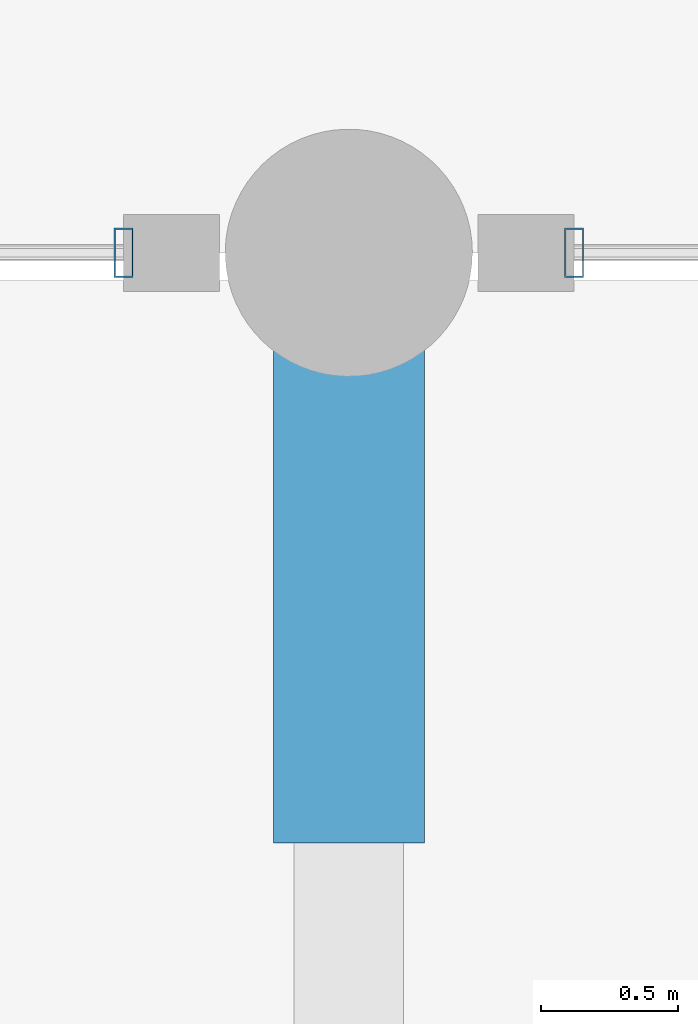
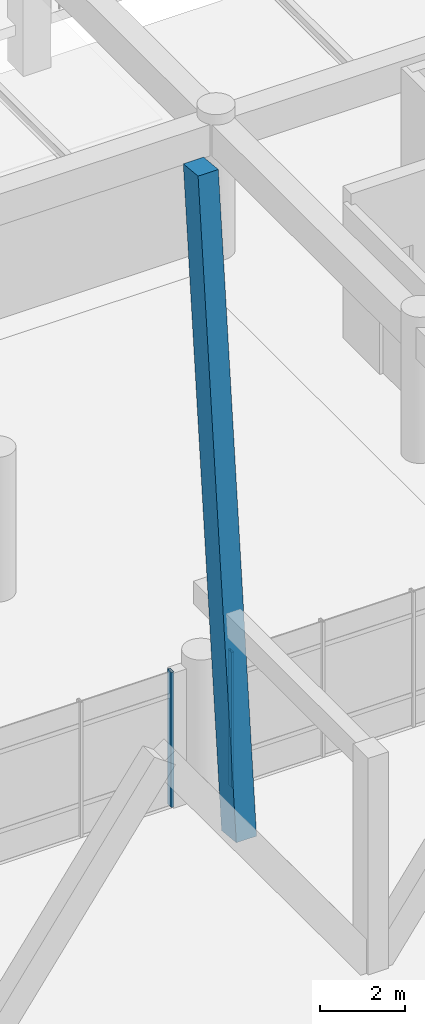
# One storey, part 21 of 109: 3 members, 2 elements without a shape of their own.
"""IFC4 building model written with IfcOpenShell, lengths in metres."""

from ifc_helpers import new_model, si_unit, direction, frame, origin, origin_2d, place, context, subcontext, project, spatial, rectangle, hollow_rectangle, extrude, material, material_profile, profile_set, type_object, element, aggregate, save


model = new_model("IFC4")

# Units and contexts
model_context = context("Model", 3, precision=1e-05, world=origin(), true_north=direction((0.0, 1.0)))
body_context = subcontext(model_context, "Body", "Model", "MODEL_VIEW")
ifc_project = project(units=[si_unit("LENGTHUNIT", "METRE"), si_unit("AREAUNIT", "SQUARE_METRE"), si_unit("VOLUMEUNIT", "CUBIC_METRE"), si_unit("PLANEANGLEUNIT", "RADIAN"), si_unit("MASSUNIT", "GRAM", prefix="KILO")], contexts=[model_context])

# Site, building, storey
site_placement = place(None, origin())
site = spatial("IfcSite", under=ifc_project, at=site_placement, CompositionType="ELEMENT")
building_placement = place(site_placement, origin())
building = spatial("IfcBuilding", under=site, at=building_placement, Name="Ologun Quay Terminus", CompositionType="ELEMENT")
storey_placement = place(building_placement, origin())
storey = spatial("IfcBuildingStorey", under=building, at=storey_placement, Name="L00", CompositionType="ELEMENT", Elevation=0.0)

# Curtain wall, member
ifc_material_1 = material(Name="Aluminium 6063-T6", Category="aluminium")
curtain_wall_type = type_object("IfcCurtainWallType", Name="Forecourt Arcade Curtain Wall 10700x3750", PredefinedType="USERDEFINED", material=ifc_material_1)
curtain_wall_1_placement = place(storey_placement, origin())
curtain_wall_1 = element("IfcCurtainWall", 1, at=curtain_wall_1_placement, inside=storey, type_object=curtain_wall_type, Name="CW-03 Curtain Wall CW-L00-005", ObjectType="UNITISED CURTAIN WALL", PredefinedType="USERDEFINED")
ifc_material_2 = material(Name="Aluminium 6063-T6", Category="aluminium")
ifc_material_profile_1 = material_profile(ifc_material_2, hollow_rectangle(XDim=0.070068359375, YDim=0.179931640625, WallThickness=0.0048828125, at=origin_2d()), Name="ALU 180x70x5")
ifc_profile_set_1 = profile_set([ifc_material_profile_1], Name="Aluminium 6063-T6")
member_type_1 = type_object("IfcMemberType", Name="Curtain Wall Heavy Mullion 180x70", PredefinedType="MULLION", material=ifc_profile_set_1)
member_1_placement = place(storey_placement, frame((102.679931640625, 8.0, 0.0), z_axis=(0.0, 0.0, 1.0), x_axis=(1.0, 0.0, 0.0)))
member_1 = element("IfcMember", 2, at=member_1_placement, type_object=member_type_1, Name="CW-L00-005 Mullion 5", PredefinedType="MULLION", context=body_context, shape_type="SweptSolid", body=[
    extrude(hollow_rectangle(XDim=0.070068359375, YDim=0.179931640625, WallThickness=0.0048828125, at=origin_2d()), origin(), (0.0, 0.0, 1.0), 3.8798828125),
])
aggregate(curtain_wall_1, [member_1])

curtain_wall_2_placement = place(storey_placement, origin())
curtain_wall_2 = element("IfcCurtainWall", 3, at=curtain_wall_2_placement, inside=storey, type_object=curtain_wall_type, Name="CW-03 Curtain Wall CW-L00-006", ObjectType="UNITISED CURTAIN WALL", PredefinedType="USERDEFINED")
member_2_placement = place(storey_placement, frame((104.320068359375, 8.0, 0.0), z_axis=(0.0, 0.0, 1.0), x_axis=(1.0, 0.0, 0.0)))
member_2 = element("IfcMember", 4, at=member_2_placement, type_object=member_type_1, Name="CW-L00-006 Mullion 1", PredefinedType="MULLION", context=body_context, shape_type="SweptSolid", body=[
    extrude(hollow_rectangle(XDim=0.070068359375, YDim=0.179931640625, WallThickness=0.0048828125, at=origin_2d()), origin(), (0.0, 0.0, 1.0), 3.8798828125),
])
aggregate(curtain_wall_2, [member_2])

# Member
ifc_material_3 = material(Name="Concrete C45/55", Category="concrete")
ifc_material_profile_2 = material_profile(ifc_material_3, rectangle(XDim=0.550048828125, YDim=0.699951171875, at=origin_2d()), Name="RC 550x700")
ifc_profile_set_2 = profile_set([ifc_material_profile_2], Name="Concrete C45/55")
member_type_2 = type_object("IfcMemberType", Name="Folded Canopy Concrete V-Strut 550x700", PredefinedType="STRUT", material=ifc_profile_set_2)
member_3_placement = place(storey_placement, frame((103.5, 6.199951171875, 0.0), z_axis=(0.0, 0.099178744049, 0.995069634111), x_axis=(-1.0, 0.0, 0.0)))
element("IfcMember", 5, at=member_3_placement, inside=storey, type_object=member_type_2, Name="VS2 Raked Concrete Portal Rib 10/B", PredefinedType="STRUT", context=body_context, shape_type="SweptSolid", body=[
    extrude(rectangle(XDim=0.550048828125, YDim=0.699951171875, at=origin_2d()), origin(), (0.0, 0.0, 1.0), 18.149658203125),
])

save(model, "model.ifc")
